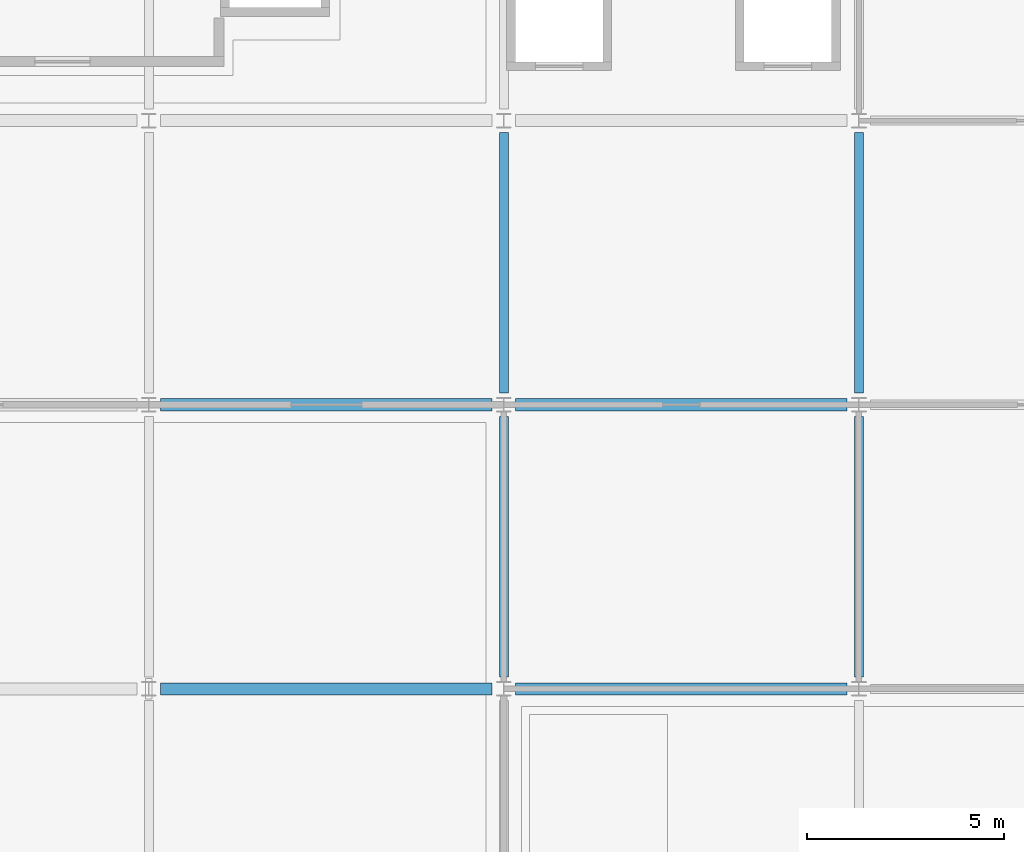
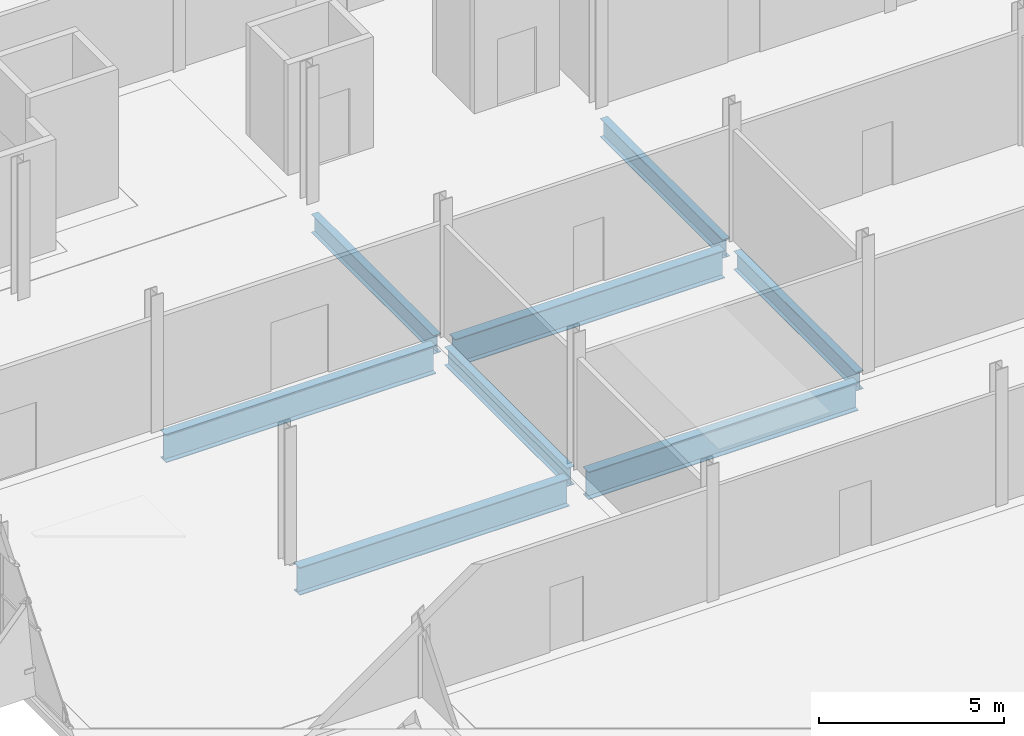
# One storey, part 29 of 78: 8 beams.
"""IFC4 building model written with IfcOpenShell, lengths in metres."""

from ifc_helpers import new_model, si_unit, direction, frame, origin, origin_2d, place, context, subcontext, project, spatial, i_section, extrude, material, material_profile, profile_set, type_object, element, save


model = new_model("IFC4")

# Units and contexts
model_context = context("Model", 3, precision=1e-05, world=origin(), true_north=direction((0.0, 1.0)))
body_context = subcontext(model_context, "Body", "Model", "MODEL_VIEW")
ifc_project = project(units=[si_unit("LENGTHUNIT", "METRE"), si_unit("AREAUNIT", "SQUARE_METRE"), si_unit("VOLUMEUNIT", "CUBIC_METRE"), si_unit("PLANEANGLEUNIT", "RADIAN"), si_unit("MASSUNIT", "GRAM", prefix="KILO")], contexts=[model_context])

# Site, building, storey
site_placement = place(None, origin())
site = spatial("IfcSite", under=ifc_project, at=site_placement, CompositionType="ELEMENT")
building_placement = place(site_placement, origin())
building = spatial("IfcBuilding", under=site, at=building_placement, Name="Celestram Park Convention Centre", CompositionType="ELEMENT")
storey_placement = place(building_placement, frame((0.0, 0.0, 19.800048828125)))
storey = spatial("IfcBuildingStorey", under=building, at=storey_placement, Name="L04", CompositionType="ELEMENT", Elevation=19.800048828125)

# Beams
ifc_material = material(Name="Steel ASTM A992 Grade 50", Category="steel")
ifc_material_profile_1 = material_profile(ifc_material, i_section(OverallWidth=0.22900390625, OverallDepth=0.612060546875, WebThickness=0.011962890625, FlangeThickness=0.01953125, at=origin_2d()), Name="W24X84")
ifc_profile_set_1 = profile_set([ifc_material_profile_1], Name="Steel ASTM A992 Grade 50")
beam_type_1 = type_object("IfcBeamType", Name="STR-BM-W24X84", PredefinedType="BEAM", material=ifc_profile_set_1)
for number, where, z_axis, x_axis, name in (
    (1, (54.0, 129.89794921875, -0.55615234375), (0.0, 1.0, 0.0), (-1.0, 0.0, 0.0), "Primary Y-girder BG-L04-0035"),
    (2, (54.0, 137.097900390625, -0.55615234375), (0.0, 1.0, 0.0), (-1.0, 0.0, 0.0), "Primary Y-girder BG-L04-0037"),
    (3, (63.0, 129.89794921875, -0.55615234375), (0.0, 1.0, 0.0), (-1.0, 0.0, 0.0), "Primary Y-girder BG-L04-0049"),
    (4, (63.0, 137.097900390625, -0.55615234375), (0.0, 1.0, 0.0), (-1.0, 0.0, 0.0), "Primary Y-girder BG-L04-0051"),
):
    element("IfcBeam", number, at=place(storey_placement, frame(where, z_axis=z_axis, x_axis=x_axis)), inside=storey, type_object=beam_type_1, Name=name, PredefinedType="BEAM", context=body_context, shape_type="SweptSolid", body=[
        extrude(i_section(OverallWidth=0.22900390625, OverallDepth=0.612060546875, WebThickness=0.011962890625, FlangeThickness=0.01953125, at=origin_2d()), origin(), (0.0, 0.0, 1.0), 6.60400390625),
    ])
ifc_material_profile_2 = material_profile(ifc_material, i_section(OverallWidth=0.304931640625, OverallDepth=0.9140625, WebThickness=0.0166015625, FlangeThickness=0.02587890625, at=origin_2d()), Name="W36X160")
ifc_profile_set_2 = profile_set([ifc_material_profile_2], Name="Steel ASTM A992 Grade 50")
beam_type_2 = type_object("IfcBeamType", Name="STR-BM-W36X160", PredefinedType="BEAM", material=ifc_profile_set_2)
for number, where, z_axis, x_axis, name in (
    (5, (45.298095703125, 129.60009765625, -0.70703125), (1.0, 0.0, 0.0), (0.0, 1.0, 0.0), "Primary X-girder BG-L04-0020"),
    (6, (45.298095703125, 136.800048828125, -0.70703125), (1.0, 0.0, 0.0), (0.0, 1.0, 0.0), "Primary X-girder BG-L04-0022"),
    (7, (54.298095703125, 129.60009765625, -0.70703125), (1.0, 0.0, 0.0), (0.0, 1.0, 0.0), "Primary X-girder BG-L04-0034"),
    (8, (54.298095703125, 136.800048828125, -0.70703125), (1.0, 0.0, 0.0), (0.0, 1.0, 0.0), "Primary X-girder BG-L04-0036"),
):
    element("IfcBeam", number, at=place(storey_placement, frame(where, z_axis=z_axis, x_axis=x_axis)), inside=storey, type_object=beam_type_2, Name=name, PredefinedType="BEAM", context=body_context, shape_type="SweptSolid", body=[
        extrude(i_section(OverallWidth=0.304931640625, OverallDepth=0.9140625, WebThickness=0.0166015625, FlangeThickness=0.02587890625, at=origin_2d()), origin(), (0.0, 0.0, 1.0), 8.40380859375),
    ])

save(model, "model.ifc")
